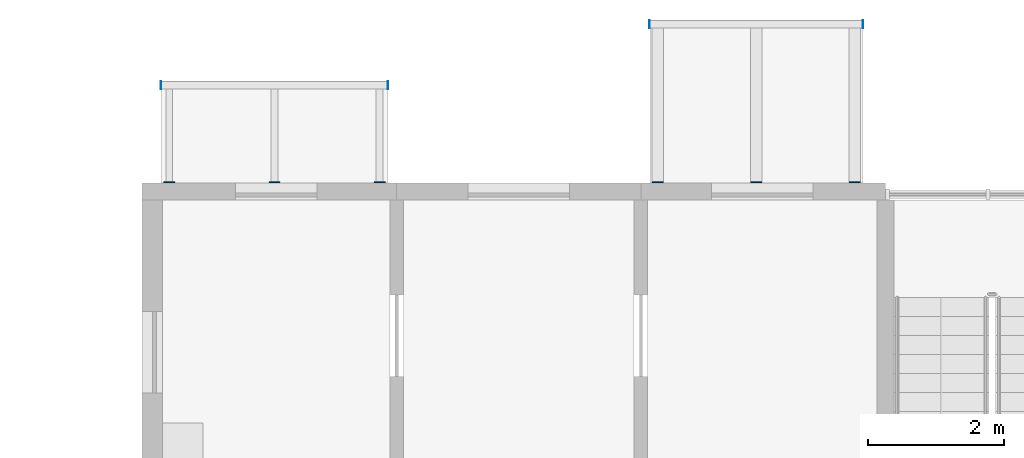
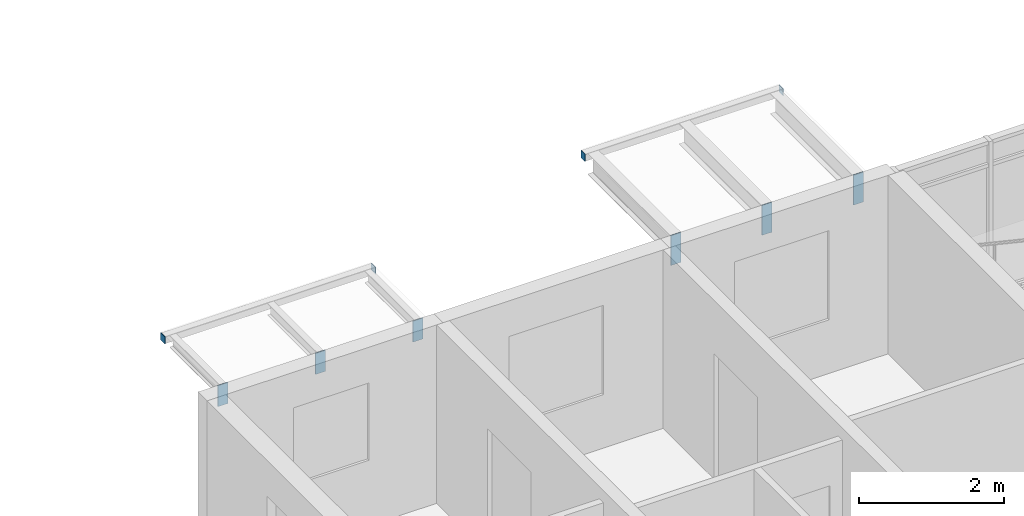
# One storey, part 71 of 99: 10 discrete accessories.
"""IFC4 building model written with IfcOpenShell, lengths in metres."""

from ifc_helpers import new_model, si_unit, direction, frame, origin, origin_2d, place, context, subcontext, project, spatial, rectangle, extrude, material, layer, layer_set, type_object, element, save


model = new_model("IFC4")

# Units and contexts
model_context = context("Model", 3, precision=1e-05, world=origin(), true_north=direction((0.0, 1.0)))
body_context = subcontext(model_context, "Body", "Model", "MODEL_VIEW")
ifc_project = project(units=[si_unit("LENGTHUNIT", "METRE"), si_unit("AREAUNIT", "SQUARE_METRE"), si_unit("VOLUMEUNIT", "CUBIC_METRE"), si_unit("PLANEANGLEUNIT", "RADIAN"), si_unit("MASSUNIT", "GRAM", prefix="KILO")], contexts=[model_context])

# Site, building, storey
site_placement = place(None, origin())
site = spatial("IfcSite", under=ifc_project, at=site_placement, CompositionType="ELEMENT")
building_placement = place(site_placement, origin())
building = spatial("IfcBuilding", under=site, at=building_placement, Name="Ridgestep Commons", CompositionType="ELEMENT")
storey_placement = place(building_placement, frame((0.0, 0.0, 15.0)))
storey = spatial("IfcBuildingStorey", under=building, at=storey_placement, Name="L05", CompositionType="ELEMENT", Elevation=15.0)

# Discrete accessories
ifc_material_1 = material(Name="Weathering steel S355J2W", Category="steel")
ifc_layer_1 = layer(ifc_material_1, 0.014892578125)
ifc_layer_set_1 = layer_set([ifc_layer_1], Name="Tray bracket plate 15")
discrete_accessory_type_1 = type_object("IfcDiscreteAccessoryType", Name="Tray bracket plate 15", PredefinedType="BRACKET", material=ifc_layer_set_1)
for number, where, z_axis, x_axis, name in (
    (1, (154.25, 77.257568359375, 2.488525390625), (0.0, 0.0, 1.0), (1.0, 0.0, 0.0), "Tray bracket C1T3-06.1"),
    (2, (155.699951171875, 77.257568359375, 2.488525390625), (0.0, 0.0, 1.0), (1.0, 0.0, 0.0), "Tray bracket C1T3-06.2"),
    (3, (157.14990234375, 77.257568359375, 2.488525390625), (0.0, 0.0, 1.0), (1.0, 0.0, 0.0), "Tray bracket C1T3-06.3"),
):
    element("IfcDiscreteAccessory", number, at=place(storey_placement, frame(where, z_axis=z_axis, x_axis=x_axis)), inside=storey, type_object=discrete_accessory_type_1, Name=name, PredefinedType="BRACKET", context=body_context, shape_type="SweptSolid", body=[
        extrude(rectangle(XDim=0.159912109375, YDim=0.014892578125, at=origin_2d()), origin(), (0.0, 0.0, 1.0), 0.50146484375),
    ])
for number, where, z_axis, x_axis, name in (
    (4, (147.050048828125, 77.257568359375, 2.63671875), (0.0, 0.0, 1.0), (1.0, 0.0, 0.0), "Tray bracket C1T1-06.1"),
    (5, (148.60009765625, 77.257568359375, 2.63671875), (0.0, 0.0, 1.0), (1.0, 0.0, 0.0), "Tray bracket C1T1-06.2"),
    (6, (150.14990234375, 77.257568359375, 2.63671875), (0.0, 0.0, 1.0), (1.0, 0.0, 0.0), "Tray bracket C1T1-06.3"),
):
    element("IfcDiscreteAccessory", number, at=place(storey_placement, frame(where, z_axis=z_axis, x_axis=x_axis)), inside=storey, type_object=discrete_accessory_type_1, Name=name, PredefinedType="BRACKET", context=body_context, shape_type="SweptSolid", body=[
        extrude(rectangle(XDim=0.159912109375, YDim=0.014892578125, at=origin_2d()), origin(), (0.0, 0.0, 1.0), 0.353271484375),
    ])
ifc_material_2 = material(Name="Weathering steel S355J2W", Category="steel")
ifc_layer_2 = layer(ifc_material_2, 0.008056640625)
ifc_layer_set_2 = layer_set([ifc_layer_2], Name="Tray edge member end plate 120 x 120 x 8")
discrete_accessory_type_2 = type_object("IfcDiscreteAccessoryType", Name="Tray edge member end plate 120 x 120 x 8", PredefinedType="BRACKET", material=ifc_layer_set_2)
for number, where, z_axis, x_axis, name in (
    (7, (154.1259765625, 79.590087890625, 2.869873046875), (0.0, 0.0, 1.0), (1.0, 0.0, 0.0), "Tray edge member end plate C1T3-06 west"),
    (8, (157.27392578125, 79.590087890625, 2.869873046875), (0.0, 0.0, 1.0), (1.0, 0.0, 0.0), "Tray edge member end plate C1T3-06 east"),
    (9, (146.926025390625, 78.68994140625, 2.869873046875), (0.0, 0.0, 1.0), (1.0, 0.0, 0.0), "Tray edge member end plate C1T1-06 west"),
    (10, (150.27392578125, 78.68994140625, 2.869873046875), (0.0, 0.0, 1.0), (1.0, 0.0, 0.0), "Tray edge member end plate C1T1-06 east"),
):
    element("IfcDiscreteAccessory", number, at=place(storey_placement, frame(where, z_axis=z_axis, x_axis=x_axis)), inside=storey, type_object=discrete_accessory_type_2, Name=name, PredefinedType="BRACKET", context=body_context, shape_type="SweptSolid", body=[
        extrude(rectangle(XDim=0.008056640625, YDim=0.1201171875, at=origin_2d()), origin(), (0.0, 0.0, 1.0), 0.1201171875),
    ])

save(model, "model.ifc")
